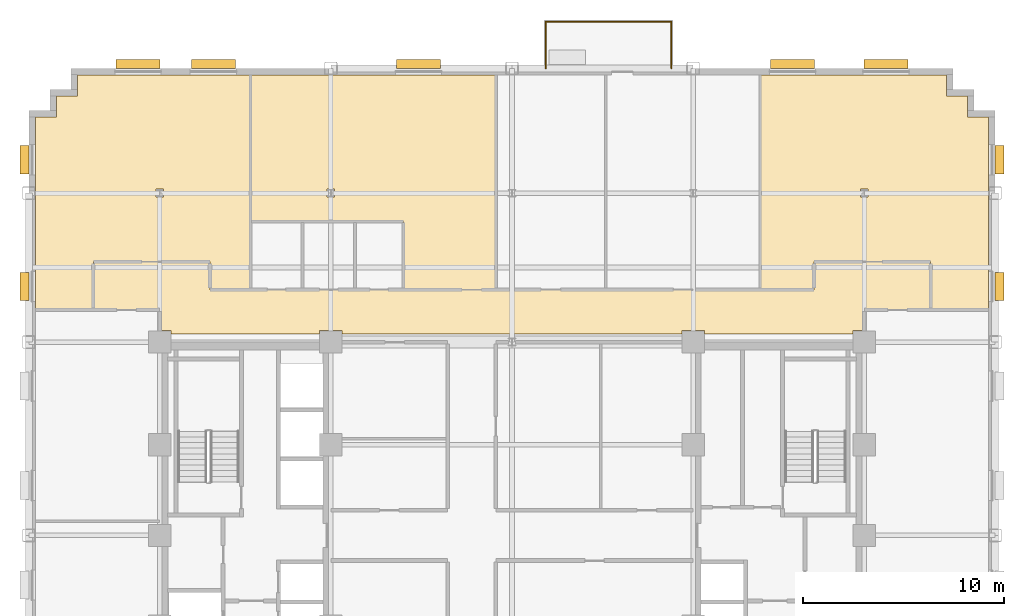
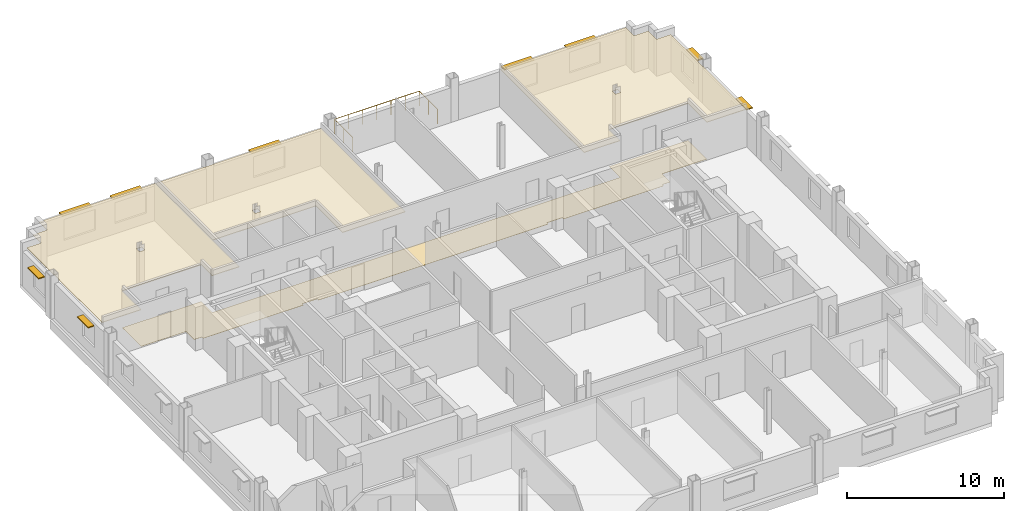
# One storey, part 14 of 14: 9 shading devices, 4 coverings, 1 railing.
"""IFC4 building model written with IfcOpenShell, lengths in metres."""

from ifc_helpers import new_model, si_unit, direction, frame, origin, origin_2d, place, context, subcontext, project, spatial, polyline, rectangle, circle, outline, extrude, source, transform, mapped, material, layer, layer_set, type_object, type_shapes, element, save


model = new_model("IFC4")

# Units and contexts
model_context = context("Model", 3, precision=1e-05, world=origin(), true_north=direction((0.0, 1.0)))
body_context = subcontext(model_context, "Body", "Model", "MODEL_VIEW")
ifc_project = project(units=[si_unit("LENGTHUNIT", "METRE"), si_unit("AREAUNIT", "SQUARE_METRE"), si_unit("VOLUMEUNIT", "CUBIC_METRE"), si_unit("PLANEANGLEUNIT", "RADIAN"), si_unit("MASSUNIT", "GRAM", prefix="KILO")], contexts=[model_context])

# Site, building, storey
site_placement = place(None, origin())
site = spatial("IfcSite", under=ifc_project, at=site_placement, CompositionType="ELEMENT")
building_placement = place(site_placement, origin())
building = spatial("IfcBuilding", under=site, at=building_placement, Name="Nuvemarco Arch Tower", CompositionType="ELEMENT")
storey_placement = place(building_placement, frame((0.0, 0.0, 101.949951171875)))
storey = spatial("IfcBuildingStorey", under=building, at=storey_placement, Name="L26", CompositionType="ELEMENT", Elevation=101.949951171875)

# Coverings
ifc_material_1 = material(Name="Mineral acoustic ceiling tile")
ifc_layer_1 = layer(ifc_material_1, 0.0400390625, Name="COV-ACOUSTIC-CLG")
ifc_layer_set_1 = layer_set([ifc_layer_1], Name="Mineral acoustic ceiling tile")
covering_type_1 = type_object("IfcCoveringType", Name="COV-ACOUSTIC-CLG", PredefinedType="CEILING", material=ifc_layer_set_1)
covering_1_placement = place(storey_placement, frame((0.0, 0.0, 2.85009765625)))
element("IfcCovering", 1, at=covering_1_placement, inside=storey, type_object=covering_type_1, Name="L26 suspended acoustic ceiling 1", PredefinedType="CEILING", context=body_context, shape_type="SweptSolid", body=[
    extrude(outline(polyline([(23.679931640625, 20.780029296875), (23.679931640625, 17.340087890625), (23.659912109375, 17.340087890625), (23.659912109375, 16.659912109375), (23.679931640625, 16.659912109375), (23.679931640625, 11.199951171875), (20.800048828125, 11.199951171875), (20.800048828125, 13.60009765625), (15.0, 13.60009765625), (15.0, 12.199951171875), (12.340087890625, 12.199951171875), (12.340087890625, 22.8798828125), (21.580078125, 22.8798828125), (21.580078125, 21.830078125), (22.6298828125, 21.830078125), (22.6298828125, 20.780029296875), (23.679931640625, 20.780029296875)]), holes=[polyline([(17.695068359375, 16.804931640625), (17.695068359375, 17.195068359375), (17.304931640625, 17.195068359375), (17.304931640625, 16.804931640625), (17.695068359375, 16.804931640625)])]), origin(), (0.0, 0.0, 1.0), 0.0400390625),
])
covering_2_placement = place(storey_placement, frame((0.0, 0.0, 2.85009765625)))
element("IfcCovering", 2, at=covering_2_placement, inside=storey, type_object=covering_type_1, Name="L26 suspended acoustic ceiling 2", PredefinedType="CEILING", context=body_context, shape_type="SweptSolid", body=[
    extrude(outline(polyline([(-23.679931640625, 11.199951171875), (-23.679931640625, 16.659912109375), (-23.659912109375, 16.659912109375), (-23.659912109375, 17.340087890625), (-23.679931640625, 17.340087890625), (-23.679931640625, 20.780029296875), (-22.6298828125, 20.780029296875), (-22.6298828125, 21.830078125), (-21.580078125, 21.830078125), (-21.580078125, 22.8798828125), (-13.0, 22.8798828125), (-13.0, 15.60009765625), (-13.0, 12.199951171875), (-15.0, 12.199951171875), (-15.0, 13.60009765625), (-20.800048828125, 13.60009765625), (-20.800048828125, 11.199951171875), (-23.679931640625, 11.199951171875)]), holes=[polyline([(-17.304931640625, 16.804931640625), (-17.304931640625, 17.195068359375), (-17.695068359375, 17.195068359375), (-17.695068359375, 16.804931640625), (-17.304931640625, 16.804931640625)])]), origin(), (0.0, 0.0, 1.0), 0.0400390625),
])
covering_3_placement = place(storey_placement, frame((0.0, 0.0, 2.85009765625)))
element("IfcCovering", 3, at=covering_3_placement, inside=storey, type_object=covering_type_1, Name="L26 suspended acoustic ceiling 3", PredefinedType="CEILING", context=body_context, shape_type="SweptSolid", body=[
    extrude(outline(polyline([(-10.39990234375, 15.60009765625), (-13.0, 15.60009765625), (-13.0, 22.8798828125), (-9.340087890625, 22.8798828125), (-9.340087890625, 22.860107421875), (-8.659912109375, 22.860107421875), (-8.659912109375, 22.8798828125), (-0.800048828125, 22.8798828125), (-0.800048828125, 12.199951171875), (-3.199951171875, 12.199951171875), (-5.39990234375, 12.199951171875), (-5.39990234375, 15.60009765625), (-7.800048828125, 15.60009765625), (-10.39990234375, 15.60009765625)]), holes=[polyline([(-8.804931640625, 16.804931640625), (-8.804931640625, 17.195068359375), (-9.195068359375, 17.195068359375), (-9.195068359375, 16.804931640625), (-8.804931640625, 16.804931640625)])]), origin(), (0.0, 0.0, 1.0), 0.0400390625),
])
ifc_material_2 = material(Name="Polished granite terrazzostone flooring", Category="masonry")
ifc_layer_2 = layer(ifc_material_2, 0.02001953125, Name="COV-LOBBY-FLR")
ifc_layer_set_2 = layer_set([ifc_layer_2], Name="Polished granite terrazzostone flooring")
covering_type_2 = type_object("IfcCoveringType", Name="COV-LOBBY-FLR", PredefinedType="FLOORING", material=ifc_layer_set_2)
covering_4_placement = place(storey_placement, origin())
element("IfcCovering", 4, at=covering_4_placement, inside=storey, type_object=covering_type_2, Name="L26 polished terrazzo lobby flooring", PredefinedType="FLOORING", context=body_context, shape_type="SweptSolid", body=[
    extrude(outline(polyline([(-8.43505859375, 10.1650390625), (-9.56494140625, 10.1650390625), (-9.56494140625, 10.0), (-16.93505859375, 10.0), (-16.93505859375, 10.1650390625), (-17.5, 10.1650390625), (-17.5, 11.199951171875), (-20.800048828125, 11.199951171875), (-20.800048828125, 13.60009765625), (-15.0, 13.60009765625), (-15.0, 12.199951171875), (-3.199951171875, 12.199951171875), (-0.800048828125, 12.199951171875), (15.0, 12.199951171875), (15.0, 13.60009765625), (20.800048828125, 13.60009765625), (20.800048828125, 11.199951171875), (17.5, 11.199951171875), (17.5, 10.1650390625), (16.93505859375, 10.1650390625), (16.93505859375, 10.0), (9.56494140625, 10.0), (9.56494140625, 10.1650390625), (8.43505859375, 10.1650390625), (8.43505859375, 10.0), (-8.43505859375, 10.0), (-8.43505859375, 10.1650390625)])), origin(), (0.0, 0.0, 1.0), 0.02001953125),
])

# Railing
ifc_material_3 = material(Name="Dark anodised balustrade steel S355", Category="steel")
railing_type = type_object("IfcRailingType", Name="RL-TERR-GUARD", PredefinedType="BALUSTRADE", material=ifc_material_3)
railing_placement = place(storey_placement, frame((1.679931640625, 23.199951171875, 0.0)))
element("IfcRailing", 5, at=railing_placement, inside=storey, type_object=railing_type, Name="L26 spiral terrace perimeter balustrade guard", PredefinedType="BALUSTRADE", context=body_context, shape_type="SweptSolid", body=[
    extrude(circle(Radius=0.02392578125, at=origin_2d()), frame((0.0, 0.0, 1.1259765625), z_axis=(0.0, 1.0, 0.0), x_axis=(-1.0, 0.0, 0.0)), (0.0, 0.0, 1.0), 2.320068359375),
    extrude(circle(Radius=0.02392578125, at=origin_2d()), frame((0.0, 2.320068359375, 1.1259765625), z_axis=(1.0, 0.0, 0.0), x_axis=(0.0, 1.0, 0.0)), (0.0, 0.0, 1.0), 6.239990234375),
    extrude(circle(Radius=0.02392578125, at=origin_2d()), frame((6.239990234375, 2.320068359375, 1.1259765625), z_axis=(0.0, -1.0, 0.0), x_axis=(1.0, 0.0, 0.0)), (0.0, 0.0, 1.0), 2.320068359375),
    extrude(circle(Radius=0.02099609375, at=origin_2d()), origin(), (0.0, 0.0, 1.0), 1.101806640625),
    extrude(circle(Radius=0.02099609375, at=origin_2d()), frame((0.0, 1.16015625, 0.0)), (0.0, 0.0, 1.0), 1.101806640625),
    extrude(circle(Radius=0.02099609375, at=origin_2d()), frame((0.0, 2.320068359375, 0.0)), (0.0, 0.0, 1.0), 1.101806640625),
    extrude(circle(Radius=0.02099609375, at=origin_2d()), frame((1.0400390625, 2.320068359375, 0.0)), (0.0, 0.0, 1.0), 1.101806640625),
    extrude(circle(Radius=0.02099609375, at=origin_2d()), frame((2.080078125, 2.320068359375, 0.0)), (0.0, 0.0, 1.0), 1.101806640625),
    extrude(circle(Radius=0.02099609375, at=origin_2d()), frame((3.1201171875, 2.320068359375, 0.0)), (0.0, 0.0, 1.0), 1.101806640625),
    extrude(circle(Radius=0.02099609375, at=origin_2d()), frame((4.159912109375, 2.320068359375, 0.0)), (0.0, 0.0, 1.0), 1.101806640625),
    extrude(circle(Radius=0.02099609375, at=origin_2d()), frame((5.199951171875, 2.320068359375, 0.0)), (0.0, 0.0, 1.0), 1.101806640625),
    extrude(circle(Radius=0.02099609375, at=origin_2d()), frame((6.239990234375, 2.320068359375, 0.0)), (0.0, 0.0, 1.0), 1.101806640625),
    extrude(circle(Radius=0.02099609375, at=origin_2d()), frame((6.239990234375, 1.16015625, 0.0)), (0.0, 0.0, 1.0), 1.101806640625),
    extrude(circle(Radius=0.02099609375, at=origin_2d()), frame((6.239990234375, 0.0, 0.0)), (0.0, 0.0, 1.0), 1.101806640625),
])

# Shading devices
ifc_material_4 = material(Name="Anodised aluminium 6063-T6", Category="aluminium")
shading_device_type_1 = type_object("IfcShadingDeviceType", Name="SHD-BRISE-SOLEIL", PredefinedType="USERDEFINED", material=ifc_material_4)
shared_shape_1 = source(origin(), body_context, "Body", "SweptSolid", [
    extrude(rectangle(XDim=2.199951171875, YDim=0.449951171875, at=origin_2d()), origin(), (0.0, 0.0, 1.0), 0.080078125),
])
type_shapes(shading_device_type_1, [shared_shape_1])
for number, where, z_axis, x_axis, name in (
    (6, (-18.577880859375, 23.4150390625, 2.425048828125), (0.0, 0.0, 1.0), (1.0, 0.0, 0.0), "L26 horizontal brise-soleil sunshade"),
    (7, (-14.833251953125, 23.4150390625, 2.425048828125), (0.0, 0.0, 1.0), (1.0, 0.0, 0.0), "L26 horizontal brise-soleil sunshade"),
    (8, (-4.644287109375, 23.4150390625, 2.425048828125), (0.0, 0.0, 1.0), (1.0, 0.0, 0.0), "L26 horizontal brise-soleil sunshade"),
    (9, (13.933349609375, 23.4150390625, 2.425048828125), (0.0, 0.0, 1.0), (1.0, 0.0, 0.0), "L26 horizontal brise-soleil sunshade"),
    (10, (18.577880859375, 23.4150390625, 2.425048828125), (0.0, 0.0, 1.0), (1.0, 0.0, 0.0), "L26 horizontal brise-soleil sunshade"),
):
    element("IfcShadingDevice", number, at=place(storey_placement, frame(where, z_axis=z_axis, x_axis=x_axis)), inside=storey, type_object=shading_device_type_1, Name=name, ObjectType="SUNSHADE", PredefinedType="USERDEFINED", context=body_context, shape_type="MappedRepresentation", body=[
        mapped(shared_shape_1, transform((0.0, 0.0, 0.0), scale=1.0)),
    ])
shading_device_type_2 = type_object("IfcShadingDeviceType", Name="SHD-BRISE-NARROW", PredefinedType="USERDEFINED", material=ifc_material_4)
shared_shape_2 = source(origin(), body_context, "Body", "SweptSolid", [
    extrude(rectangle(XDim=1.39990234375, YDim=0.449951171875, at=origin_2d()), origin(), (0.0, 0.0, 1.0), 0.080078125),
])
type_shapes(shading_device_type_2, [shared_shape_2])
for number, where, z_axis, x_axis, name in (
    (11, (24.215087890625, 12.364990234375, 2.405029296875), (0.0, 0.0, 1.0), (0.0, 1.0, 0.0), "L26 horizontal brise-soleil sunshade"),
    (12, (24.215087890625, 18.660888671875, 2.405029296875), (0.0, 0.0, 1.0), (0.0, 1.0, 0.0), "L26 horizontal brise-soleil sunshade"),
    (13, (-24.215087890625, 12.364990234375, 2.405029296875), (0.0, 0.0, 1.0), (0.0, 1.0, 0.0), "L26 horizontal brise-soleil sunshade"),
    (14, (-24.215087890625, 18.660888671875, 2.405029296875), (0.0, 0.0, 1.0), (0.0, 1.0, 0.0), "L26 horizontal brise-soleil sunshade"),
):
    element("IfcShadingDevice", number, at=place(storey_placement, frame(where, z_axis=z_axis, x_axis=x_axis)), inside=storey, type_object=shading_device_type_2, Name=name, ObjectType="SUNSHADE", PredefinedType="USERDEFINED", context=body_context, shape_type="MappedRepresentation", body=[
        mapped(shared_shape_2, transform((0.0, 0.0, 0.0), scale=1.0)),
    ])

save(model, "model.ifc")
